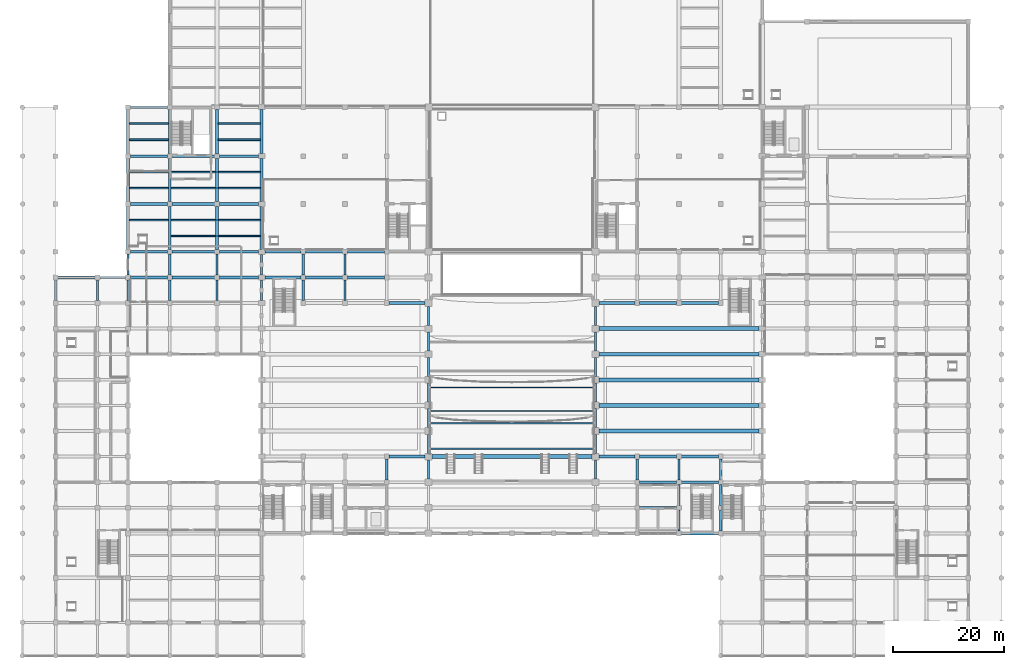
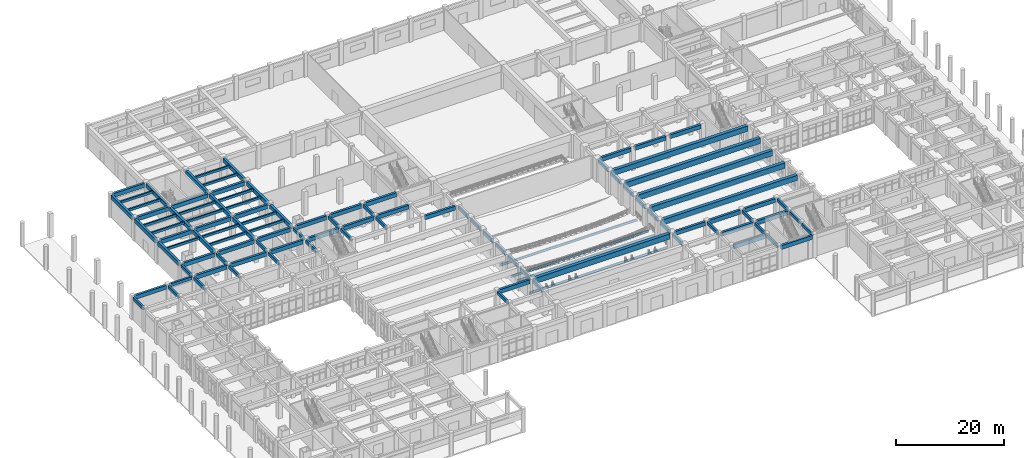
# One storey, part 29 of 84: 106 beams.
"""IFC4 building model written with IfcOpenShell, lengths in metres."""

from ifc_helpers import new_model, si_unit, direction, frame, origin, origin_2d, place, context, subcontext, project, spatial, rectangle, i_section, extrude, material, material_profile, profile_set, type_object, element, save


model = new_model("IFC4")

# Units and contexts
model_context = context("Model", 3, precision=1e-05, world=origin(), true_north=direction((0.0, 1.0)))
body_context = subcontext(model_context, "Body", "Model", "MODEL_VIEW")
ifc_project = project(units=[si_unit("LENGTHUNIT", "METRE"), si_unit("AREAUNIT", "SQUARE_METRE"), si_unit("VOLUMEUNIT", "CUBIC_METRE"), si_unit("PLANEANGLEUNIT", "RADIAN"), si_unit("MASSUNIT", "GRAM", prefix="KILO")], contexts=[model_context])

# Site, building, storey
site_placement = place(None, origin())
site = spatial("IfcSite", under=ifc_project, at=site_placement, CompositionType="ELEMENT")
building_placement = place(site_placement, origin())
building = spatial("IfcBuilding", under=site, at=building_placement, Name="Muzn Square Opera House", CompositionType="ELEMENT")
storey_placement = place(building_placement, origin())
storey = spatial("IfcBuildingStorey", under=building, at=storey_placement, Name="L00", CompositionType="ELEMENT", Elevation=0.0)

# Beams
ifc_material_1 = material(Name="Steel S355", Category="steel")
ifc_material_profile_1 = material_profile(ifc_material_1, i_section(OverallWidth=0.2099609375, OverallDepth=0.550048828125, WebThickness=0.010986328125, FlangeThickness=0.01708984375, FilletRadius=0.02392578125, at=origin_2d()), Name="IPE 550", Category="steel")
ifc_profile_set_1 = profile_set([ifc_material_profile_1], Name="Steel S355")
beam_type_1 = type_object("IfcBeamType", Name="Auditorium Raker Beam IPE550", PredefinedType="USERDEFINED", material=ifc_profile_set_1)
for number, where, z_axis, x_axis, name in (
    (1, (73.199951171875, 44.0, 0.47509765625), (1.0, 0.0, 0.0), (0.0, 1.0, 0.0), "Auditorium Stalls Raker Beam RAKER-L00-01"),
    (2, (73.199951171875, 48.199951171875, 0.47509765625), (1.0, 0.0, 0.0), (0.0, 1.0, 0.0), "Auditorium Stalls Raker Beam RAKER-L00-02"),
    (3, (73.199951171875, 37.199951171875, 0.824951171875), (1.0, 0.0, 0.0), (0.0, 1.0, 0.0), "Auditorium Stalls Raker Beam RAKER-L00-03"),
    (4, (73.199951171875, 41.800048828125, 0.824951171875), (1.0, 0.0, 0.0), (0.0, 1.0, 0.0), "Auditorium Stalls Raker Beam RAKER-L00-04"),
):
    element("IfcBeam", number, at=place(storey_placement, frame(where, z_axis=z_axis, x_axis=x_axis)), inside=storey, type_object=beam_type_1, Name=name, ObjectType="RAKER", PredefinedType="USERDEFINED", context=body_context, shape_type="SweptSolid", body=[
        extrude(i_section(OverallWidth=0.2099609375, OverallDepth=0.550048828125, WebThickness=0.010986328125, FlangeThickness=0.01708984375, FilletRadius=0.02392578125, at=origin_2d()), origin(), (0.0, 0.0, 1.0), 29.60009765625),
    ])
ifc_material_2 = material(Name="Concrete C40/50", Category="concrete")
ifc_material_profile_2 = material_profile(ifc_material_2, rectangle(XDim=0.300048828125, YDim=0.550048828125, at=origin_2d()), Name="RCJ 300x550", Category="concrete")
ifc_profile_set_2 = profile_set([ifc_material_profile_2], Name="Concrete C40/50")
beam_type_2 = type_object("IfcBeamType", Name="Floor Joist 300x550", PredefinedType="JOIST", material=ifc_profile_set_2)
for number, where, z_axis, x_axis, name in (
    (5, (19.241943359375, 78.333251953125, 4.844970703125), (1.0, 0.0, 0.0), (0.0, 1.0, 0.0), "Floor Joist BM-L00-BM-J550-192_783_263_783-1186"),
    (6, (19.241943359375, 84.066650390625, 4.844970703125), (1.0, 0.0, 0.0), (0.0, 1.0, 0.0), "Floor Joist BM-L00-BM-J550-192_841_263_841-1187"),
    (7, (19.241943359375, 86.933349609375, 4.844970703125), (1.0, 0.0, 0.0), (0.0, 1.0, 0.0), "Floor Joist BM-L00-BM-J550-192_869_263_869-1188"),
    (8, (19.241943359375, 92.7333984375, 4.844970703125), (1.0, 0.0, 0.0), (0.0, 1.0, 0.0), "Floor Joist BM-L00-BM-J550-192_927_263_927-1189"),
    (9, (19.241943359375, 95.666748046875, 4.844970703125), (1.0, 0.0, 0.0), (0.0, 1.0, 0.0), "Floor Joist BM-L00-BM-J550-192_957_263_957-1190"),
):
    element("IfcBeam", number, at=place(storey_placement, frame(where, z_axis=z_axis, x_axis=x_axis)), inside=storey, type_object=beam_type_2, Name=name, PredefinedType="JOIST", context=body_context, shape_type="SweptSolid", body=[
        extrude(rectangle(XDim=0.300048828125, YDim=0.550048828125, at=origin_2d()), origin(), (0.0, 0.0, 1.0), 7.01611328125),
    ])
for number, where, z_axis, x_axis, name in (
    (10, (26.741943359375, 75.466796875, 4.844970703125), (1.0, 0.0, 0.0), (0.0, 1.0, 0.0), "Floor Joist BM-L00-BM-J550-267_755_348_755-1193"),
    (11, (26.741943359375, 78.333251953125, 4.844970703125), (1.0, 0.0, 0.0), (0.0, 1.0, 0.0), "Floor Joist BM-L00-BM-J550-267_783_348_783-1194"),
    (12, (26.741943359375, 84.066650390625, 4.844970703125), (1.0, 0.0, 0.0), (0.0, 1.0, 0.0), "Floor Joist BM-L00-BM-J550-267_841_348_841-1195"),
    (13, (26.741943359375, 86.933349609375, 4.844970703125), (1.0, 0.0, 0.0), (0.0, 1.0, 0.0), "Floor Joist BM-L00-BM-J550-267_869_348_869-1196"),
):
    element("IfcBeam", number, at=place(storey_placement, frame(where, z_axis=z_axis, x_axis=x_axis)), inside=storey, type_object=beam_type_2, Name=name, PredefinedType="JOIST", context=body_context, shape_type="SweptSolid", body=[
        extrude(rectangle(XDim=0.300048828125, YDim=0.550048828125, at=origin_2d()), origin(), (0.0, 0.0, 1.0), 8.01611328125),
    ])
for number, where, z_axis, x_axis, name in (
    (14, (35.241943359375, 75.466796875, 4.844970703125), (1.0, 0.0, 0.0), (0.0, 1.0, 0.0), "Floor Joist BM-L00-BM-J550-352_755_428_755-1204"),
    (15, (35.241943359375, 78.333251953125, 4.844970703125), (1.0, 0.0, 0.0), (0.0, 1.0, 0.0), "Floor Joist BM-L00-BM-J550-352_783_428_783-1205"),
    (16, (35.241943359375, 84.066650390625, 4.844970703125), (1.0, 0.0, 0.0), (0.0, 1.0, 0.0), "Floor Joist BM-L00-BM-J550-352_841_428_841-1206"),
    (17, (35.241943359375, 86.933349609375, 4.844970703125), (1.0, 0.0, 0.0), (0.0, 1.0, 0.0), "Floor Joist BM-L00-BM-J550-352_869_428_869-1207"),
    (18, (35.241943359375, 92.7333984375, 4.844970703125), (1.0, 0.0, 0.0), (0.0, 1.0, 0.0), "Floor Joist BM-L00-BM-J550-352_927_428_927-1208"),
    (19, (35.241943359375, 95.666748046875, 4.844970703125), (1.0, 0.0, 0.0), (0.0, 1.0, 0.0), "Floor Joist BM-L00-BM-J550-352_957_428_957-1209"),
):
    element("IfcBeam", number, at=place(storey_placement, frame(where, z_axis=z_axis, x_axis=x_axis)), inside=storey, type_object=beam_type_2, Name=name, PredefinedType="JOIST", context=body_context, shape_type="SweptSolid", body=[
        extrude(rectangle(XDim=0.300048828125, YDim=0.550048828125, at=origin_2d()), origin(), (0.0, 0.0, 1.0), 7.51611328125),
    ])
ifc_material_profile_3 = material_profile(ifc_material_2, rectangle(XDim=0.39990234375, YDim=0.699951171875, at=origin_2d()), Name="RCB 400x700", Category="concrete")
ifc_profile_set_3 = profile_set([ifc_material_profile_3], Name="Concrete C40/50")
beam_type_3 = type_object("IfcBeamType", Name="Primary Girder 400x700", PredefinedType="BEAM", material=ifc_profile_set_3)
beam_1_placement = place(storey_placement, frame((13.9169921875, 68.0, 4.77001953125), z_axis=(1.0, 0.0, 0.0), x_axis=(0.0, 1.0, 0.0)))
element("IfcBeam", 20, at=beam_1_placement, inside=storey, type_object=beam_type_3, Name="Primary Girder BM-L00-BM-PG700-139_680_186_680-880", PredefinedType="BEAM", context=body_context, shape_type="SweptSolid", body=[
    extrude(rectangle(XDim=0.39990234375, YDim=0.699951171875, at=origin_2d()), origin(), (0.0, 0.0, 1.0), 4.666015625),
])
for number, where, z_axis, x_axis, name in (
    (21, (6.0, 63.81689453125, 4.77001953125), (0.0, 1.0, 0.0), (-1.0, 0.0, 0.0), "Primary Girder BM-L00-BM-PG700-60_638_60_676-965"),
    (22, (13.5, 63.81689453125, 4.77001953125), (0.0, 1.0, 0.0), (-1.0, 0.0, 0.0), "Primary Girder BM-L00-BM-PG700-135_638_135_676-976"),
    (23, (19.0, 63.81689453125, 4.77001953125), (0.0, 1.0, 0.0), (-1.0, 0.0, 0.0), "Primary Girder BM-L00-BM-PG700-190_638_190_676-989"),
    (24, (19.0, 68.4169921875, 4.77001953125), (0.0, 1.0, 0.0), (-1.0, 0.0, 0.0), "Primary Girder BM-L00-BM-PG700-190_684_190_722-990"),
    (25, (26.5, 63.81689453125, 4.77001953125), (0.0, 1.0, 0.0), (-1.0, 0.0, 0.0), "Primary Girder BM-L00-BM-PG700-265_638_265_676-1001"),
    (26, (26.5, 68.4169921875, 4.77001953125), (0.0, 1.0, 0.0), (-1.0, 0.0, 0.0), "Primary Girder BM-L00-BM-PG700-265_684_265_722-1002"),
    (27, (35.0, 63.81689453125, 4.77001953125), (0.0, 1.0, 0.0), (-1.0, 0.0, 0.0), "Primary Girder BM-L00-BM-PG700-350_638_350_676-1014"),
    (28, (35.0, 68.4169921875, 4.77001953125), (0.0, 1.0, 0.0), (-1.0, 0.0, 0.0), "Primary Girder BM-L00-BM-PG700-350_684_350_722-1015"),
):
    element("IfcBeam", number, at=place(storey_placement, frame(where, z_axis=z_axis, x_axis=x_axis)), inside=storey, type_object=beam_type_3, Name=name, PredefinedType="BEAM", context=body_context, shape_type="SweptSolid", body=[
        extrude(rectangle(XDim=0.39990234375, YDim=0.699951171875, at=origin_2d()), origin(), (0.0, 0.0, 1.0), 3.76611328125),
    ])
for number, where, z_axis, x_axis, name in (
    (29, (43.0, 63.842041015625, 4.77001953125), (0.0, 1.0, 0.0), (-1.0, 0.0, 0.0), "Primary Girder BM-L00-BM-PG700-430_638_430_676-1032"),
    (30, (43.0, 68.44189453125, 4.77001953125), (0.0, 1.0, 0.0), (-1.0, 0.0, 0.0), "Primary Girder BM-L00-BM-PG700-430_684_430_722-1033"),
):
    element("IfcBeam", number, at=place(storey_placement, frame(where, z_axis=z_axis, x_axis=x_axis)), inside=storey, type_object=beam_type_3, Name=name, PredefinedType="BEAM", context=body_context, shape_type="SweptSolid", body=[
        extrude(rectangle(XDim=0.39990234375, YDim=0.699951171875, at=origin_2d()), origin(), (0.0, 0.0, 1.0), 3.716064453125),
    ])
for number, where, z_axis, x_axis, name in (
    (31, (50.5, 63.81689453125, 4.77001953125), (0.0, 1.0, 0.0), (-1.0, 0.0, 0.0), "Primary Girder BM-L00-BM-PG700-505_638_505_676-1042"),
    (32, (50.5, 68.4169921875, 4.77001953125), (0.0, 1.0, 0.0), (-1.0, 0.0, 0.0), "Primary Girder BM-L00-BM-PG700-505_684_505_722-1043"),
    (33, (58.0, 63.81689453125, 4.77001953125), (0.0, 1.0, 0.0), (-1.0, 0.0, 0.0), "Primary Girder BM-L00-BM-PG700-580_638_580_676-1048"),
    (34, (58.0, 68.4169921875, 4.77001953125), (0.0, 1.0, 0.0), (-1.0, 0.0, 0.0), "Primary Girder BM-L00-BM-PG700-580_684_580_722-1049"),
    (35, (65.5, 31.616943359375, 4.77001953125), (0.0, 1.0, 0.0), (-1.0, 0.0, 0.0), "Primary Girder BM-L00-BM-PG700-655_316_655_354-1052"),
):
    element("IfcBeam", number, at=place(storey_placement, frame(where, z_axis=z_axis, x_axis=x_axis)), inside=storey, type_object=beam_type_3, Name=name, PredefinedType="BEAM", context=body_context, shape_type="SweptSolid", body=[
        extrude(rectangle(XDim=0.39990234375, YDim=0.699951171875, at=origin_2d()), origin(), (0.0, 0.0, 1.0), 3.76611328125),
    ])
for number, where, z_axis, x_axis, name in (
    (36, (73.0, 31.7919921875, 4.77001953125), (0.0, 1.0, 0.0), (-1.0, 0.0, 0.0), "Primary Girder BM-L00-BM-PG700-730_318_730_352-1060"),
    (37, (73.0, 36.39208984375, 4.77001953125), (0.0, 1.0, 0.0), (-1.0, 0.0, 0.0), "Primary Girder BM-L00-BM-PG700-730_364_730_398-1061"),
    (38, (73.0, 40.991943359375, 4.77001953125), (0.0, 1.0, 0.0), (-1.0, 0.0, 0.0), "Primary Girder BM-L00-BM-PG700-730_410_730_444-1062"),
    (39, (73.0, 45.592041015625, 4.77001953125), (0.0, 1.0, 0.0), (-1.0, 0.0, 0.0), "Primary Girder BM-L00-BM-PG700-730_456_730_490-1063"),
    (40, (73.0, 50.19189453125, 4.77001953125), (0.0, 1.0, 0.0), (-1.0, 0.0, 0.0), "Primary Girder BM-L00-BM-PG700-730_502_730_536-1064"),
    (41, (73.0, 54.7919921875, 4.77001953125), (0.0, 1.0, 0.0), (-1.0, 0.0, 0.0), "Primary Girder BM-L00-BM-PG700-730_548_730_582-1065"),
    (42, (73.0, 59.39208984375, 4.77001953125), (0.0, 1.0, 0.0), (-1.0, 0.0, 0.0), "Primary Girder BM-L00-BM-PG700-730_594_730_628-1066"),
    (43, (103.0, 31.7919921875, 4.77001953125), (0.0, 1.0, 0.0), (-1.0, 0.0, 0.0), "Primary Girder BM-L00-BM-PG700-1030_318_1030_352-1071"),
    (44, (103.0, 36.39208984375, 4.77001953125), (0.0, 1.0, 0.0), (-1.0, 0.0, 0.0), "Primary Girder BM-L00-BM-PG700-1030_364_1030_398-1072"),
    (45, (103.0, 40.991943359375, 4.77001953125), (0.0, 1.0, 0.0), (-1.0, 0.0, 0.0), "Primary Girder BM-L00-BM-PG700-1030_410_1030_444-1073"),
    (46, (103.0, 45.592041015625, 4.77001953125), (0.0, 1.0, 0.0), (-1.0, 0.0, 0.0), "Primary Girder BM-L00-BM-PG700-1030_456_1030_490-1074"),
    (47, (103.0, 50.19189453125, 4.77001953125), (0.0, 1.0, 0.0), (-1.0, 0.0, 0.0), "Primary Girder BM-L00-BM-PG700-1030_502_1030_536-1075"),
    (48, (103.0, 54.7919921875, 4.77001953125), (0.0, 1.0, 0.0), (-1.0, 0.0, 0.0), "Primary Girder BM-L00-BM-PG700-1030_548_1030_582-1076"),
    (49, (103.0, 59.39208984375, 4.77001953125), (0.0, 1.0, 0.0), (-1.0, 0.0, 0.0), "Primary Girder BM-L00-BM-PG700-1030_594_1030_628-1077"),
):
    element("IfcBeam", number, at=place(storey_placement, frame(where, z_axis=z_axis, x_axis=x_axis)), inside=storey, type_object=beam_type_3, Name=name, PredefinedType="BEAM", context=body_context, shape_type="SweptSolid", body=[
        extrude(rectangle(XDim=0.39990234375, YDim=0.699951171875, at=origin_2d()), origin(), (0.0, 0.0, 1.0), 3.416015625),
    ])
for number, where, z_axis, x_axis, name in (
    (50, (110.5, 31.616943359375, 4.77001953125), (0.0, 1.0, 0.0), (-1.0, 0.0, 0.0), "Primary Girder BM-L00-BM-PG700-1105_316_1105_354-1082"),
    (51, (118.0, 22.4169921875, 4.77001953125), (0.0, 1.0, 0.0), (-1.0, 0.0, 0.0), "Primary Girder BM-L00-BM-PG700-1180_224_1180_262-1088"),
):
    element("IfcBeam", number, at=place(storey_placement, frame(where, z_axis=z_axis, x_axis=x_axis)), inside=storey, type_object=beam_type_3, Name=name, PredefinedType="BEAM", context=body_context, shape_type="SweptSolid", body=[
        extrude(rectangle(XDim=0.39990234375, YDim=0.699951171875, at=origin_2d()), origin(), (0.0, 0.0, 1.0), 3.76611328125),
    ])
beam_2_placement = place(storey_placement, frame((118.0, 27.01708984375, 4.77001953125), z_axis=(0.0, 1.0, 0.0), x_axis=(-1.0, 0.0, 0.0)))
element("IfcBeam", 52, at=beam_2_placement, inside=storey, type_object=beam_type_3, Name="Primary Girder BM-L00-BM-PG700-1180_270_1180_308-1089", PredefinedType="BEAM", context=body_context, shape_type="SweptSolid", body=[
    extrude(rectangle(XDim=0.39990234375, YDim=0.699951171875, at=origin_2d()), origin(), (0.0, 0.0, 1.0), 3.765869140625),
])
for number, where, z_axis, x_axis, name in (
    (53, (118.0, 31.616943359375, 4.77001953125), (0.0, 1.0, 0.0), (-1.0, 0.0, 0.0), "Primary Girder BM-L00-BM-PG700-1180_316_1180_354-1090"),
    (54, (125.5, 22.4169921875, 4.77001953125), (0.0, 1.0, 0.0), (-1.0, 0.0, 0.0), "Primary Girder BM-L00-BM-PG700-1255_224_1255_262-1095"),
):
    element("IfcBeam", number, at=place(storey_placement, frame(where, z_axis=z_axis, x_axis=x_axis)), inside=storey, type_object=beam_type_3, Name=name, PredefinedType="BEAM", context=body_context, shape_type="SweptSolid", body=[
        extrude(rectangle(XDim=0.39990234375, YDim=0.699951171875, at=origin_2d()), origin(), (0.0, 0.0, 1.0), 3.76611328125),
    ])
beam_3_placement = place(storey_placement, frame((125.5, 27.01708984375, 4.77001953125), z_axis=(0.0, 1.0, 0.0), x_axis=(-1.0, 0.0, 0.0)))
element("IfcBeam", 55, at=beam_3_placement, inside=storey, type_object=beam_type_3, Name="Primary Girder BM-L00-BM-PG700-1255_270_1255_308-1096", PredefinedType="BEAM", context=body_context, shape_type="SweptSolid", body=[
    extrude(rectangle(XDim=0.39990234375, YDim=0.699951171875, at=origin_2d()), origin(), (0.0, 0.0, 1.0), 3.765869140625),
])
beam_4_placement = place(storey_placement, frame((125.5, 31.616943359375, 4.77001953125), z_axis=(0.0, 1.0, 0.0), x_axis=(-1.0, 0.0, 0.0)))
element("IfcBeam", 56, at=beam_4_placement, inside=storey, type_object=beam_type_3, Name="Primary Girder BM-L00-BM-PG700-1255_316_1255_354-1097", PredefinedType="BEAM", context=body_context, shape_type="SweptSolid", body=[
    extrude(rectangle(XDim=0.39990234375, YDim=0.699951171875, at=origin_2d()), origin(), (0.0, 0.0, 1.0), 3.76611328125),
])
ifc_material_profile_4 = material_profile(ifc_material_2, rectangle(XDim=0.5, YDim=0.89990234375, at=origin_2d()), Name="RCB 500x900", Category="concrete")
ifc_profile_set_4 = profile_set([ifc_material_profile_4], Name="Concrete C40/50")
beam_type_4 = type_object("IfcBeamType", Name="Primary Girder 500x900", PredefinedType="BEAM", material=ifc_profile_set_4)
for number, where, z_axis, x_axis, name in (
    (57, (118.4169921875, 22.0, 4.669921875), (1.0, 0.0, 0.0), (0.0, 1.0, 0.0), "Primary Girder BM-L00-BM-PG900-1184_220_1251_220-769"),
    (58, (110.9169921875, 26.60009765625, 4.669921875), (1.0, 0.0, 0.0), (0.0, 1.0, 0.0), "Primary Girder BM-L00-BM-PG900-1109_266_1176_266-783"),
    (59, (110.9169921875, 31.199951171875, 4.669921875), (1.0, 0.0, 0.0), (0.0, 1.0, 0.0), "Primary Girder BM-L00-BM-PG900-1109_312_1176_312-800"),
    (60, (118.4169921875, 31.199951171875, 4.669921875), (1.0, 0.0, 0.0), (0.0, 1.0, 0.0), "Primary Girder BM-L00-BM-PG900-1184_312_1251_312-801"),
):
    element("IfcBeam", number, at=place(storey_placement, frame(where, z_axis=z_axis, x_axis=x_axis)), inside=storey, type_object=beam_type_4, Name=name, PredefinedType="BEAM", context=body_context, shape_type="SweptSolid", body=[
        extrude(rectangle(XDim=0.5, YDim=0.89990234375, at=origin_2d()), origin(), (0.0, 0.0, 1.0), 6.666015625),
    ])
for number, where, z_axis, x_axis, name in (
    (61, (65.9169921875, 35.800048828125, 4.669921875), (1.0, 0.0, 0.0), (0.0, 1.0, 0.0), "Primary Girder BM-L00-BM-PG900-659_358_724_358-813"),
    (62, (103.592041015625, 35.800048828125, 4.669921875), (1.0, 0.0, 0.0), (0.0, 1.0, 0.0), "Primary Girder BM-L00-BM-PG900-1036_358_1101_358-815"),
):
    element("IfcBeam", number, at=place(storey_placement, frame(where, z_axis=z_axis, x_axis=x_axis)), inside=storey, type_object=beam_type_4, Name=name, PredefinedType="BEAM", context=body_context, shape_type="SweptSolid", body=[
        extrude(rectangle(XDim=0.5, YDim=0.89990234375, at=origin_2d()), origin(), (0.0, 0.0, 1.0), 6.490966796875),
    ])
for number, where, z_axis, x_axis, name in (
    (63, (110.9169921875, 35.800048828125, 4.669921875), (1.0, 0.0, 0.0), (0.0, 1.0, 0.0), "Primary Girder BM-L00-BM-PG900-1109_358_1176_358-816"),
    (64, (118.4169921875, 35.800048828125, 4.669921875), (1.0, 0.0, 0.0), (0.0, 1.0, 0.0), "Primary Girder BM-L00-BM-PG900-1184_358_1251_358-817"),
):
    element("IfcBeam", number, at=place(storey_placement, frame(where, z_axis=z_axis, x_axis=x_axis)), inside=storey, type_object=beam_type_4, Name=name, PredefinedType="BEAM", context=body_context, shape_type="SweptSolid", body=[
        extrude(rectangle(XDim=0.5, YDim=0.89990234375, at=origin_2d()), origin(), (0.0, 0.0, 1.0), 6.666015625),
    ])
for number, where, z_axis, x_axis, name in (
    (65, (65.9169921875, 63.39990234375, 4.669921875), (1.0, 0.0, 0.0), (0.0, 1.0, 0.0), "Primary Girder BM-L00-BM-PG900-659_634_724_634-870"),
    (66, (103.592041015625, 63.39990234375, 4.669921875), (1.0, 0.0, 0.0), (0.0, 1.0, 0.0), "Primary Girder BM-L00-BM-PG900-1036_634_1101_634-871"),
):
    element("IfcBeam", number, at=place(storey_placement, frame(where, z_axis=z_axis, x_axis=x_axis)), inside=storey, type_object=beam_type_4, Name=name, PredefinedType="BEAM", context=body_context, shape_type="SweptSolid", body=[
        extrude(rectangle(XDim=0.5, YDim=0.89990234375, at=origin_2d()), origin(), (0.0, 0.0, 1.0), 6.490966796875),
    ])
for number, where, z_axis, x_axis, name in (
    (67, (110.9169921875, 63.39990234375, 4.669921875), (1.0, 0.0, 0.0), (0.0, 1.0, 0.0), "Primary Girder BM-L00-BM-PG900-1109_634_1176_634-872"),
    (68, (118.4169921875, 63.39990234375, 4.669921875), (1.0, 0.0, 0.0), (0.0, 1.0, 0.0), "Primary Girder BM-L00-BM-PG900-1184_634_1251_634-873"),
    (69, (6.4169921875, 68.0, 4.669921875), (1.0, 0.0, 0.0), (0.0, 1.0, 0.0), "Primary Girder BM-L00-BM-PG900-64_680_131_680-879"),
    (70, (19.4169921875, 68.0, 4.669921875), (1.0, 0.0, 0.0), (0.0, 1.0, 0.0), "Primary Girder BM-L00-BM-PG900-194_680_261_680-881"),
):
    element("IfcBeam", number, at=place(storey_placement, frame(where, z_axis=z_axis, x_axis=x_axis)), inside=storey, type_object=beam_type_4, Name=name, PredefinedType="BEAM", context=body_context, shape_type="SweptSolid", body=[
        extrude(rectangle(XDim=0.5, YDim=0.89990234375, at=origin_2d()), origin(), (0.0, 0.0, 1.0), 6.666015625),
    ])
beam_5_placement = place(storey_placement, frame((26.9169921875, 68.0, 4.669921875), z_axis=(1.0, 0.0, 0.0), x_axis=(0.0, 1.0, 0.0)))
element("IfcBeam", 71, at=beam_5_placement, inside=storey, type_object=beam_type_4, Name="Primary Girder BM-L00-BM-PG900-269_680_346_680-882", PredefinedType="BEAM", context=body_context, shape_type="SweptSolid", body=[
    extrude(rectangle(XDim=0.5, YDim=0.89990234375, at=origin_2d()), origin(), (0.0, 0.0, 1.0), 7.666015625),
])
beam_6_placement = place(storey_placement, frame((35.4169921875, 68.0, 4.669921875), z_axis=(1.0, 0.0, 0.0), x_axis=(0.0, 1.0, 0.0)))
element("IfcBeam", 72, at=beam_6_placement, inside=storey, type_object=beam_type_4, Name="Primary Girder BM-L00-BM-PG900-354_680_424_680-883", PredefinedType="BEAM", context=body_context, shape_type="SweptSolid", body=[
    extrude(rectangle(XDim=0.5, YDim=0.89990234375, at=origin_2d()), origin(), (0.0, 0.0, 1.0), 6.990966796875),
])
beam_7_placement = place(storey_placement, frame((43.592041015625, 68.0, 4.669921875), z_axis=(1.0, 0.0, 0.0), x_axis=(0.0, 1.0, 0.0)))
element("IfcBeam", 73, at=beam_7_placement, inside=storey, type_object=beam_type_4, Name="Primary Girder BM-L00-BM-PG900-436_680_501_680-884", PredefinedType="BEAM", context=body_context, shape_type="SweptSolid", body=[
    extrude(rectangle(XDim=0.5, YDim=0.89990234375, at=origin_2d()), origin(), (0.0, 0.0, 1.0), 6.490966796875),
])
for number, where, z_axis, x_axis, name in (
    (74, (50.9169921875, 68.0, 4.669921875), (1.0, 0.0, 0.0), (0.0, 1.0, 0.0), "Primary Girder BM-L00-BM-PG900-509_680_576_680-885"),
    (75, (58.4169921875, 68.0, 4.669921875), (1.0, 0.0, 0.0), (0.0, 1.0, 0.0), "Primary Girder BM-L00-BM-PG900-584_680_651_680-886"),
    (76, (19.4169921875, 72.60009765625, 4.669921875), (1.0, 0.0, 0.0), (0.0, 1.0, 0.0), "Primary Girder BM-L00-BM-PG900-194_726_261_726-897"),
):
    element("IfcBeam", number, at=place(storey_placement, frame(where, z_axis=z_axis, x_axis=x_axis)), inside=storey, type_object=beam_type_4, Name=name, PredefinedType="BEAM", context=body_context, shape_type="SweptSolid", body=[
        extrude(rectangle(XDim=0.5, YDim=0.89990234375, at=origin_2d()), origin(), (0.0, 0.0, 1.0), 6.666015625),
    ])
beam_8_placement = place(storey_placement, frame((26.9169921875, 72.60009765625, 4.669921875), z_axis=(1.0, 0.0, 0.0), x_axis=(0.0, 1.0, 0.0)))
element("IfcBeam", 77, at=beam_8_placement, inside=storey, type_object=beam_type_4, Name="Primary Girder BM-L00-BM-PG900-269_726_346_726-898", PredefinedType="BEAM", context=body_context, shape_type="SweptSolid", body=[
    extrude(rectangle(XDim=0.5, YDim=0.89990234375, at=origin_2d()), origin(), (0.0, 0.0, 1.0), 7.666015625),
])
beam_9_placement = place(storey_placement, frame((35.4169921875, 72.60009765625, 4.669921875), z_axis=(1.0, 0.0, 0.0), x_axis=(0.0, 1.0, 0.0)))
element("IfcBeam", 78, at=beam_9_placement, inside=storey, type_object=beam_type_4, Name="Primary Girder BM-L00-BM-PG900-354_726_424_726-899", PredefinedType="BEAM", context=body_context, shape_type="SweptSolid", body=[
    extrude(rectangle(XDim=0.5, YDim=0.89990234375, at=origin_2d()), origin(), (0.0, 0.0, 1.0), 6.990966796875),
])
beam_10_placement = place(storey_placement, frame((43.592041015625, 72.60009765625, 4.669921875), z_axis=(1.0, 0.0, 0.0), x_axis=(0.0, 1.0, 0.0)))
element("IfcBeam", 79, at=beam_10_placement, inside=storey, type_object=beam_type_4, Name="Primary Girder BM-L00-BM-PG900-436_726_501_726-900", PredefinedType="BEAM", context=body_context, shape_type="SweptSolid", body=[
    extrude(rectangle(XDim=0.5, YDim=0.89990234375, at=origin_2d()), origin(), (0.0, 0.0, 1.0), 6.490966796875),
])
for number, where, z_axis, x_axis, name in (
    (80, (50.9169921875, 72.60009765625, 4.669921875), (1.0, 0.0, 0.0), (0.0, 1.0, 0.0), "Primary Girder BM-L00-BM-PG900-509_726_576_726-901"),
    (81, (58.4169921875, 72.60009765625, 4.669921875), (1.0, 0.0, 0.0), (0.0, 1.0, 0.0), "Primary Girder BM-L00-BM-PG900-584_726_651_726-902"),
    (82, (19.4169921875, 81.199951171875, 4.669921875), (1.0, 0.0, 0.0), (0.0, 1.0, 0.0), "Primary Girder BM-L00-BM-PG900-194_812_261_812-913"),
):
    element("IfcBeam", number, at=place(storey_placement, frame(where, z_axis=z_axis, x_axis=x_axis)), inside=storey, type_object=beam_type_4, Name=name, PredefinedType="BEAM", context=body_context, shape_type="SweptSolid", body=[
        extrude(rectangle(XDim=0.5, YDim=0.89990234375, at=origin_2d()), origin(), (0.0, 0.0, 1.0), 6.666015625),
    ])
beam_11_placement = place(storey_placement, frame((26.9169921875, 81.199951171875, 4.669921875), z_axis=(1.0, 0.0, 0.0), x_axis=(0.0, 1.0, 0.0)))
element("IfcBeam", 83, at=beam_11_placement, inside=storey, type_object=beam_type_4, Name="Primary Girder BM-L00-BM-PG900-269_812_346_812-914", PredefinedType="BEAM", context=body_context, shape_type="SweptSolid", body=[
    extrude(rectangle(XDim=0.5, YDim=0.89990234375, at=origin_2d()), origin(), (0.0, 0.0, 1.0), 7.666015625),
])
beam_12_placement = place(storey_placement, frame((35.4169921875, 81.199951171875, 4.669921875), z_axis=(1.0, 0.0, 0.0), x_axis=(0.0, 1.0, 0.0)))
element("IfcBeam", 84, at=beam_12_placement, inside=storey, type_object=beam_type_4, Name="Primary Girder BM-L00-BM-PG900-354_812_424_812-915", PredefinedType="BEAM", context=body_context, shape_type="SweptSolid", body=[
    extrude(rectangle(XDim=0.5, YDim=0.89990234375, at=origin_2d()), origin(), (0.0, 0.0, 1.0), 6.990966796875),
])
beam_13_placement = place(storey_placement, frame((19.4169921875, 89.800048828125, 4.669921875), z_axis=(1.0, 0.0, 0.0), x_axis=(0.0, 1.0, 0.0)))
element("IfcBeam", 85, at=beam_13_placement, inside=storey, type_object=beam_type_4, Name="Primary Girder BM-L00-BM-PG900-194_898_261_898-917", PredefinedType="BEAM", context=body_context, shape_type="SweptSolid", body=[
    extrude(rectangle(XDim=0.5, YDim=0.89990234375, at=origin_2d()), origin(), (0.0, 0.0, 1.0), 6.666015625),
])
beam_14_placement = place(storey_placement, frame((26.9169921875, 89.800048828125, 4.669921875), z_axis=(1.0, 0.0, 0.0), x_axis=(0.0, 1.0, 0.0)))
element("IfcBeam", 86, at=beam_14_placement, inside=storey, type_object=beam_type_4, Name="Primary Girder BM-L00-BM-PG900-269_898_346_898-918", PredefinedType="BEAM", context=body_context, shape_type="SweptSolid", body=[
    extrude(rectangle(XDim=0.5, YDim=0.89990234375, at=origin_2d()), origin(), (0.0, 0.0, 1.0), 7.666015625),
])
beam_15_placement = place(storey_placement, frame((35.4169921875, 89.800048828125, 4.669921875), z_axis=(1.0, 0.0, 0.0), x_axis=(0.0, 1.0, 0.0)))
element("IfcBeam", 87, at=beam_15_placement, inside=storey, type_object=beam_type_4, Name="Primary Girder BM-L00-BM-PG900-354_898_424_898-919", PredefinedType="BEAM", context=body_context, shape_type="SweptSolid", body=[
    extrude(rectangle(XDim=0.5, YDim=0.89990234375, at=origin_2d()), origin(), (0.0, 0.0, 1.0), 6.990966796875),
])
beam_16_placement = place(storey_placement, frame((19.4169921875, 98.60009765625, 4.669921875), z_axis=(1.0, 0.0, 0.0), x_axis=(0.0, 1.0, 0.0)))
element("IfcBeam", 88, at=beam_16_placement, inside=storey, type_object=beam_type_4, Name="Primary Girder BM-L00-BM-PG900-194_986_261_986-925", PredefinedType="BEAM", context=body_context, shape_type="SweptSolid", body=[
    extrude(rectangle(XDim=0.5, YDim=0.89990234375, at=origin_2d()), origin(), (0.0, 0.0, 1.0), 6.666015625),
])
beam_17_placement = place(storey_placement, frame((19.0, 73.01708984375, 4.669921875), z_axis=(0.0, 1.0, 0.0), x_axis=(-1.0, 0.0, 0.0)))
element("IfcBeam", 89, at=beam_17_placement, inside=storey, type_object=beam_type_4, Name="Primary Girder BM-L00-BM-PG900-190_730_190_808-991", PredefinedType="BEAM", context=body_context, shape_type="SweptSolid", body=[
    extrude(rectangle(XDim=0.5, YDim=0.89990234375, at=origin_2d()), origin(), (0.0, 0.0, 1.0), 7.765869140625),
])
beam_18_placement = place(storey_placement, frame((19.0, 81.616943359375, 4.669921875), z_axis=(0.0, 1.0, 0.0), x_axis=(-1.0, 0.0, 0.0)))
element("IfcBeam", 90, at=beam_18_placement, inside=storey, type_object=beam_type_4, Name="Primary Girder BM-L00-BM-PG900-190_816_190_894-992", PredefinedType="BEAM", context=body_context, shape_type="SweptSolid", body=[
    extrude(rectangle(XDim=0.5, YDim=0.89990234375, at=origin_2d()), origin(), (0.0, 0.0, 1.0), 7.76611328125),
])
beam_19_placement = place(storey_placement, frame((19.0, 90.217041015625, 4.669921875), z_axis=(0.0, 1.0, 0.0), x_axis=(-1.0, 0.0, 0.0)))
element("IfcBeam", 91, at=beam_19_placement, inside=storey, type_object=beam_type_4, Name="Primary Girder BM-L00-BM-PG900-190_902_190_982-993", PredefinedType="BEAM", context=body_context, shape_type="SweptSolid", body=[
    extrude(rectangle(XDim=0.5, YDim=0.89990234375, at=origin_2d()), origin(), (0.0, 0.0, 1.0), 7.966064453125),
])
beam_20_placement = place(storey_placement, frame((26.5, 73.01708984375, 4.669921875), z_axis=(0.0, 1.0, 0.0), x_axis=(-1.0, 0.0, 0.0)))
element("IfcBeam", 92, at=beam_20_placement, inside=storey, type_object=beam_type_4, Name="Primary Girder BM-L00-BM-PG900-265_730_265_808-1003", PredefinedType="BEAM", context=body_context, shape_type="SweptSolid", body=[
    extrude(rectangle(XDim=0.5, YDim=0.89990234375, at=origin_2d()), origin(), (0.0, 0.0, 1.0), 7.765869140625),
])
beam_21_placement = place(storey_placement, frame((26.5, 81.616943359375, 4.669921875), z_axis=(0.0, 1.0, 0.0), x_axis=(-1.0, 0.0, 0.0)))
element("IfcBeam", 93, at=beam_21_placement, inside=storey, type_object=beam_type_4, Name="Primary Girder BM-L00-BM-PG900-265_816_265_894-1004", PredefinedType="BEAM", context=body_context, shape_type="SweptSolid", body=[
    extrude(rectangle(XDim=0.5, YDim=0.89990234375, at=origin_2d()), origin(), (0.0, 0.0, 1.0), 7.76611328125),
])
beam_22_placement = place(storey_placement, frame((26.5, 90.217041015625, 4.669921875), z_axis=(0.0, 1.0, 0.0), x_axis=(-1.0, 0.0, 0.0)))
element("IfcBeam", 94, at=beam_22_placement, inside=storey, type_object=beam_type_4, Name="Primary Girder BM-L00-BM-PG900-265_902_265_982-1005", PredefinedType="BEAM", context=body_context, shape_type="SweptSolid", body=[
    extrude(rectangle(XDim=0.5, YDim=0.89990234375, at=origin_2d()), origin(), (0.0, 0.0, 1.0), 7.966064453125),
])
beam_23_placement = place(storey_placement, frame((35.0, 73.01708984375, 4.669921875), z_axis=(0.0, 1.0, 0.0), x_axis=(-1.0, 0.0, 0.0)))
element("IfcBeam", 95, at=beam_23_placement, inside=storey, type_object=beam_type_4, Name="Primary Girder BM-L00-BM-PG900-350_730_350_808-1016", PredefinedType="BEAM", context=body_context, shape_type="SweptSolid", body=[
    extrude(rectangle(XDim=0.5, YDim=0.89990234375, at=origin_2d()), origin(), (0.0, 0.0, 1.0), 7.765869140625),
])
beam_24_placement = place(storey_placement, frame((35.0, 81.616943359375, 4.669921875), z_axis=(0.0, 1.0, 0.0), x_axis=(-1.0, 0.0, 0.0)))
element("IfcBeam", 96, at=beam_24_placement, inside=storey, type_object=beam_type_4, Name="Primary Girder BM-L00-BM-PG900-350_816_350_894-1017", PredefinedType="BEAM", context=body_context, shape_type="SweptSolid", body=[
    extrude(rectangle(XDim=0.5, YDim=0.89990234375, at=origin_2d()), origin(), (0.0, 0.0, 1.0), 7.76611328125),
])
beam_25_placement = place(storey_placement, frame((35.0, 90.217041015625, 4.669921875), z_axis=(0.0, 1.0, 0.0), x_axis=(-1.0, 0.0, 0.0)))
element("IfcBeam", 97, at=beam_25_placement, inside=storey, type_object=beam_type_4, Name="Primary Girder BM-L00-BM-PG900-350_902_350_982-1018", PredefinedType="BEAM", context=body_context, shape_type="SweptSolid", body=[
    extrude(rectangle(XDim=0.5, YDim=0.89990234375, at=origin_2d()), origin(), (0.0, 0.0, 1.0), 7.966064453125),
])
beam_26_placement = place(storey_placement, frame((43.0, 73.0419921875, 4.669921875), z_axis=(0.0, 1.0, 0.0), x_axis=(-1.0, 0.0, 0.0)))
element("IfcBeam", 98, at=beam_26_placement, inside=storey, type_object=beam_type_4, Name="Primary Girder BM-L00-BM-PG900-430_730_430_808-1034", PredefinedType="BEAM", context=body_context, shape_type="SweptSolid", body=[
    extrude(rectangle(XDim=0.5, YDim=0.89990234375, at=origin_2d()), origin(), (0.0, 0.0, 1.0), 7.716064453125),
])
beam_27_placement = place(storey_placement, frame((43.0, 81.64208984375, 4.669921875), z_axis=(0.0, 1.0, 0.0), x_axis=(-1.0, 0.0, 0.0)))
element("IfcBeam", 99, at=beam_27_placement, inside=storey, type_object=beam_type_4, Name="Primary Girder BM-L00-BM-PG900-430_816_430_894-1035", PredefinedType="BEAM", context=body_context, shape_type="SweptSolid", body=[
    extrude(rectangle(XDim=0.5, YDim=0.89990234375, at=origin_2d()), origin(), (0.0, 0.0, 1.0), 7.7158203125),
])
beam_28_placement = place(storey_placement, frame((43.0, 90.241943359375, 4.669921875), z_axis=(0.0, 1.0, 0.0), x_axis=(-1.0, 0.0, 0.0)))
element("IfcBeam", 100, at=beam_28_placement, inside=storey, type_object=beam_type_4, Name="Primary Girder BM-L00-BM-PG900-430_902_430_982-1036", PredefinedType="BEAM", context=body_context, shape_type="SweptSolid", body=[
    extrude(rectangle(XDim=0.5, YDim=0.89990234375, at=origin_2d()), origin(), (0.0, 0.0, 1.0), 7.916015625),
])
ifc_material_profile_5 = material_profile(ifc_material_2, rectangle(XDim=0.699951171875, YDim=1.199951171875, at=origin_2d()), Name="RCB 700x1200", Category="concrete")
ifc_profile_set_5 = profile_set([ifc_material_profile_5], Name="Concrete C40/50")
beam_type_5 = type_object("IfcBeamType", Name="Primary Girder 700x1200", PredefinedType="BEAM", material=ifc_profile_set_5)
for number, where, z_axis, x_axis, name in (
    (101, (73.592041015625, 35.800048828125, 4.52001953125), (1.0, 0.0, 0.0), (0.0, 1.0, 0.0), "Primary Girder BM-L00-BM-PG1200-736_358_1024_358-814"),
    (102, (103.592041015625, 40.39990234375, 4.52001953125), (1.0, 0.0, 0.0), (0.0, 1.0, 0.0), "Primary Girder BM-L00-BM-PG1200-1036_404_1324_404-824"),
    (103, (103.592041015625, 45.0, 4.52001953125), (1.0, 0.0, 0.0), (0.0, 1.0, 0.0), "Primary Girder BM-L00-BM-PG1200-1036_450_1324_450-830"),
    (104, (103.592041015625, 49.60009765625, 4.52001953125), (1.0, 0.0, 0.0), (0.0, 1.0, 0.0), "Primary Girder BM-L00-BM-PG1200-1036_496_1324_496-836"),
    (105, (103.592041015625, 54.199951171875, 4.52001953125), (1.0, 0.0, 0.0), (0.0, 1.0, 0.0), "Primary Girder BM-L00-BM-PG1200-1036_542_1324_542-845"),
    (106, (103.592041015625, 58.800048828125, 4.52001953125), (1.0, 0.0, 0.0), (0.0, 1.0, 0.0), "Primary Girder BM-L00-BM-PG1200-1036_588_1324_588-857"),
):
    element("IfcBeam", number, at=place(storey_placement, frame(where, z_axis=z_axis, x_axis=x_axis)), inside=storey, type_object=beam_type_5, Name=name, PredefinedType="BEAM", context=body_context, shape_type="SweptSolid", body=[
        extrude(rectangle(XDim=0.699951171875, YDim=1.199951171875, at=origin_2d()), origin(), (0.0, 0.0, 1.0), 28.81591796875),
    ])

save(model, "model.ifc")
